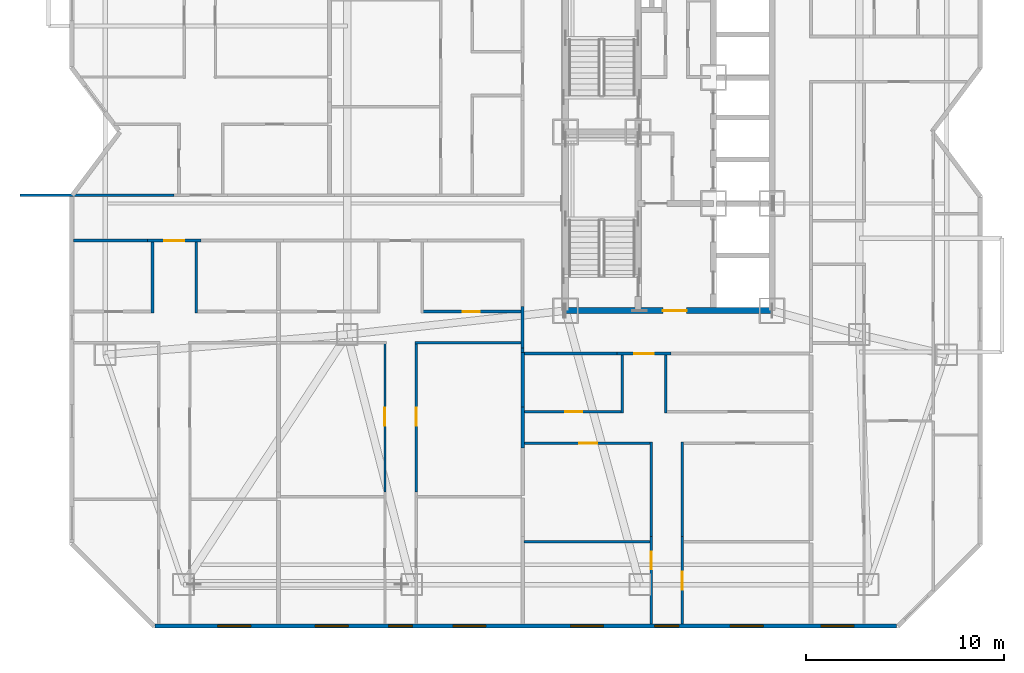
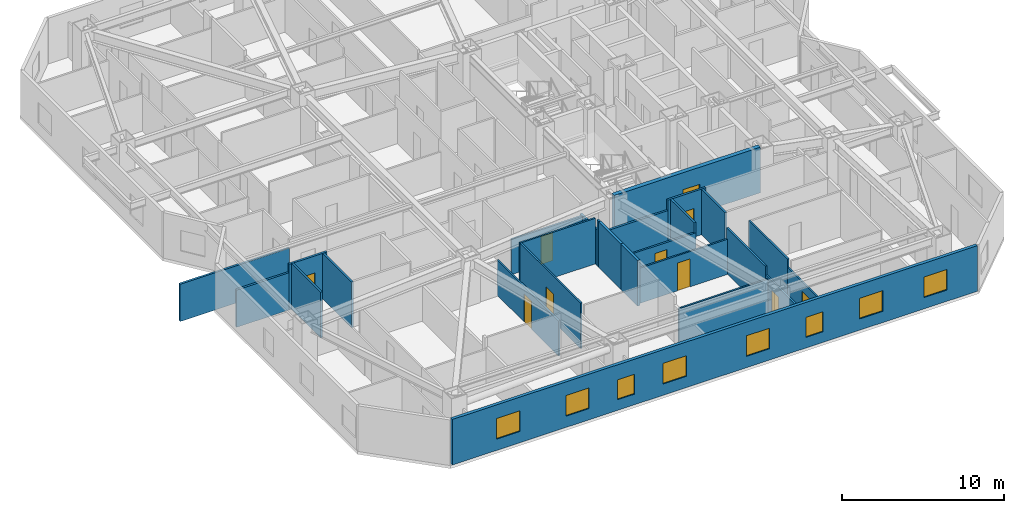
# One storey, part 7 of 14: 26 walls, 10 doors, 8 windows, 18 openings.
"""IFC4 building model written with IfcOpenShell, lengths in metres."""

from ifc_helpers import new_model, si_unit, direction, frame, frame_2d, origin, place, context, subcontext, project, spatial, rectangle, extrude, material, layer, layer_set, type_object, element, fill, save


model = new_model("IFC4")

# Units and contexts
model_context = context("Model", 3, precision=1e-05, world=origin(), true_north=direction((0.0, 1.0)))
body_context = subcontext(model_context, "Body", "Model", "MODEL_VIEW")
ifc_project = project(units=[si_unit("LENGTHUNIT", "METRE"), si_unit("AREAUNIT", "SQUARE_METRE"), si_unit("VOLUMEUNIT", "CUBIC_METRE"), si_unit("PLANEANGLEUNIT", "RADIAN"), si_unit("MASSUNIT", "GRAM", prefix="KILO")], contexts=[model_context])

# Site, building, storey
site_placement = place(None, origin())
site = spatial("IfcSite", under=ifc_project, at=site_placement, CompositionType="ELEMENT")
building_placement = place(site_placement, origin())
building = spatial("IfcBuilding", under=site, at=building_placement, Name="Khamvora Tower", CompositionType="ELEMENT")
storey_placement = place(building_placement, frame((0.0, 0.0, 51.550048828125)))
storey = spatial("IfcBuildingStorey", under=building, at=storey_placement, Name="L12", CompositionType="ELEMENT", Elevation=51.550048828125)

# Wall, opening, door
ifc_material_1 = material(Name="Concrete C50/60", Category="concrete")
ifc_layer_1 = layer(ifc_material_1, 0.300048828125)
ifc_layer_set_1 = layer_set([ifc_layer_1], Name="Concrete C50/60")
wall_type_1 = type_object("IfcWallType", Name="WAL-CORE-300", PredefinedType="SHEAR", material=ifc_layer_set_1)
wall_1_placement = place(storey_placement, frame((29.0, 19.0, 0.0), z_axis=(0.0, 0.0, 1.0), x_axis=(1.0, 0.0, 0.0)))
wall_1 = element("IfcWall", 1, at=wall_1_placement, inside=storey, type_object=wall_type_1, Name="L12 central core south wall", PredefinedType="SHEAR", context=body_context, shape_type="SweptSolid", body=[
    extrude(rectangle(XDim=10.39990234375, YDim=0.300048828125, at=frame_2d((5.199951171875, 0.0))), origin(), (0.0, 0.0, 1.0), 3.429931640625),
])
opening_1_placement = place(wall_1_placement, frame((4.89990234375, 0.0, 0.0)))
opening_1 = element("IfcOpeningElement", 2, at=opening_1_placement, cuts=wall_1, Name="Opening D-CR1", PredefinedType="OPENING", context=body_context, shape_type="SweptSolid", body=[
    extrude(rectangle(XDim=1.199951171875, YDim=2.14990234375, at=frame_2d((0.60009765625, 1.074951171875))), frame((0.0, 0.159912109375, 0.0), z_axis=(0.0, -1.0, 0.0), x_axis=(1.0, 0.0, 0.0)), (0.0, 0.0, 1.0), 0.320068359375),
])
ifc_material_2 = material(Name="Powder-Coated Steel and Hardwood Leaf", Category="steel")
door_type_1 = type_object("IfcDoorType", Name="DOR-CORR-1200", OperationType="NOTDEFINED", PredefinedType="DOOR", material=ifc_material_2)
door_1_placement = place(opening_1_placement, origin())
door_1 = element("IfcDoor", 3, at=door_1_placement, inside=storey, type_object=door_type_1, Name="L12 south core lobby to corridor fire door", OperationType="SINGLE_SWING_RIGHT", OverallHeight=2.14990234375, OverallWidth=1.199951171875, PredefinedType="DOOR", context=body_context, shape_type="SweptSolid", body=[
    extrude(rectangle(XDim=1.199951171875, YDim=2.14990234375, at=frame_2d((0.60009765625, 1.074951171875))), frame((0.0, 0.02490234375, 0.0), z_axis=(0.0, -1.0, 0.0), x_axis=(1.0, 0.0, 0.0)), (0.0, 0.0, 1.0), 0.050048828125),
])
fill(opening_1, door_1)

ifc_material_3 = material(Name="Fire-Rated Drywall and Steel Stud", Category="steel")
ifc_layer_2 = layer(ifc_material_3, 0.14990234375)
ifc_layer_set_2 = layer_set([ifc_layer_2], Name="Fire-Rated Drywall and Steel Stud")
wall_type_2 = type_object("IfcWallType", Name="WAL-CORR-150", PredefinedType="STANDARD", material=ifc_layer_set_2)
wall_2_placement = place(storey_placement, frame((10.637939453125, 22.534912109375, 0.0), z_axis=(0.0, 0.0, 1.0), x_axis=(-1.0, 0.0, 0.0)))
wall_2 = element("IfcWall", 4, at=wall_2_placement, inside=storey, type_object=wall_type_2, Name="L12 interior partition wall 009", PredefinedType="STANDARD", context=body_context, shape_type="SweptSolid", body=[
    extrude(rectangle(XDim=2.697998046875, YDim=0.14990234375, at=frame_2d((1.34912109375, 0.0))), origin(), (0.0, 0.0, 1.0), 3.429931640625),
])
opening_2_placement = place(wall_2_placement, frame((0.84912109375, 0.0, 0.0)))
opening_2 = element("IfcOpeningElement", 5, at=opening_2_placement, cuts=wall_2, Name="Opening D-U1", PredefinedType="OPENING", context=body_context, shape_type="SweptSolid", body=[
    extrude(rectangle(XDim=1.0, YDim=2.14990234375, at=frame_2d((0.5, 1.074951171875))), frame((0.0, 0.0849609375, 0.0), z_axis=(0.0, -1.0, 0.0), x_axis=(1.0, 0.0, 0.0)), (0.0, 0.0, 1.0), 0.169921875),
])
door_type_2 = type_object("IfcDoorType", Name="DOR-UNIT-1000", OperationType="NOTDEFINED", PredefinedType="DOOR", material=ifc_material_2)
door_2_placement = place(opening_2_placement, origin())
door_2 = element("IfcDoor", 6, at=door_2_placement, inside=storey, type_object=door_type_2, Name="L12 interior door COR-12WA1H", OperationType="SINGLE_SWING_RIGHT", OverallHeight=2.14990234375, OverallWidth=1.0, PredefinedType="DOOR", context=body_context, shape_type="SweptSolid", body=[
    extrude(rectangle(XDim=1.0, YDim=2.14990234375, at=frame_2d((0.5, 1.074951171875))), frame((0.0, 0.02490234375, 0.0), z_axis=(0.0, -1.0, 0.0), x_axis=(1.0, 0.0, 0.0)), (0.0, 0.0, 1.0), 0.050048828125),
])
fill(opening_2, door_2)

# Walls
wall_3_placement = place(storey_placement, frame((7.93994140625, 22.534912109375, 0.0), z_axis=(0.0, 0.0, 1.0), x_axis=(-1.0, 0.0, 0.0)))
element("IfcWall", 7, at=wall_3_placement, inside=storey, type_object=wall_type_2, Name="L12 interior partition wall 011", PredefinedType="STANDARD", context=body_context, shape_type="SweptSolid", body=[
    extrude(rectangle(XDim=3.72802734375, YDim=0.14990234375, at=frame_2d((1.864013671875, 0.0))), origin(), (0.0, 0.0, 1.0), 2.802978515625),
])
wall_4_placement = place(storey_placement, frame((26.8349609375, 17.1259765625, 0.0), z_axis=(0.0, 0.0, 1.0), x_axis=(0.0, 1.0, 0.0)))
element("IfcWall", 8, at=wall_4_placement, inside=storey, type_object=wall_type_2, Name="L12 interior partition wall 012", PredefinedType="STANDARD", context=body_context, shape_type="SweptSolid", body=[
    extrude(rectangle(XDim=2.078125, YDim=0.14990234375, at=frame_2d((1.0390625, 0.0))), origin(), (0.0, 0.0, 1.0), 2.64697265625),
])
wall_5_placement = place(storey_placement, frame((26.8349609375, 16.89990234375, 0.0), z_axis=(0.0, 0.0, 1.0), x_axis=(0.0, 1.0, 0.0)))
element("IfcWall", 9, at=wall_5_placement, inside=storey, type_object=wall_type_2, Name="L12 interior partition wall 017", PredefinedType="STANDARD", context=body_context, shape_type="SweptSolid", body=[
    extrude(rectangle(XDim=0.22607421875, YDim=0.14990234375, at=frame_2d((0.113037109375, 0.0))), origin(), (0.0, 0.0, 1.0), 3.429931640625),
])
wall_6_placement = place(storey_placement, frame((1.510009765625, 24.81494140625, 0.0), z_axis=(0.0, 0.0, 1.0), x_axis=(1.0, 0.0, 0.0)))
element("IfcWall", 10, at=wall_6_placement, inside=storey, type_object=wall_type_2, Name="L12 interior partition wall 019", PredefinedType="STANDARD", context=body_context, shape_type="SweptSolid", body=[
    extrude(rectangle(XDim=7.760009765625, YDim=0.14990234375, at=frame_2d((3.8798828125, 0.0))), origin(), (0.0, 0.0, 1.0), 2.802978515625),
])

# Wall, opening, door
wall_7_placement = place(storey_placement, frame((34.299072265625, 16.8349609375, 0.0), z_axis=(0.0, 0.0, 1.0), x_axis=(-1.0, 0.0, 0.0)))
wall_7 = element("IfcWall", 11, at=wall_7_placement, inside=storey, type_object=wall_type_2, Name="L12 interior partition wall 028", PredefinedType="STANDARD", context=body_context, shape_type="SweptSolid", body=[
    extrude(rectangle(XDim=2.697998046875, YDim=0.14990234375, at=frame_2d((1.34912109375, 0.0))), origin(), (0.0, 0.0, 1.0), 3.429931640625),
])
opening_3_placement = place(wall_7_placement, frame((0.84912109375, 0.0, 0.0)))
opening_3 = element("IfcOpeningElement", 12, at=opening_3_placement, cuts=wall_7, Name="Opening D-U1", PredefinedType="OPENING", context=body_context, shape_type="SweptSolid", body=[
    extrude(rectangle(XDim=1.0, YDim=2.14990234375, at=frame_2d((0.5, 1.074951171875))), frame((0.0, 0.0849609375, 0.0), z_axis=(0.0, -1.0, 0.0), x_axis=(1.0, 0.0, 0.0)), (0.0, 0.0, 1.0), 0.169921875),
])
door_3_placement = place(opening_3_placement, origin())
door_3 = element("IfcDoor", 13, at=door_3_placement, inside=storey, type_object=door_type_2, Name="L12 interior door COR-12SAH", OperationType="SINGLE_SWING_RIGHT", OverallHeight=2.14990234375, OverallWidth=1.0, PredefinedType="DOOR", context=body_context, shape_type="SweptSolid", body=[
    extrude(rectangle(XDim=1.0, YDim=2.14990234375, at=frame_2d((0.5, 1.074951171875))), frame((0.0, 0.02490234375, 0.0), z_axis=(0.0, -1.0, 0.0), x_axis=(1.0, 0.0, 0.0)), (0.0, 0.0, 1.0), 0.050048828125),
])
fill(opening_3, door_3)

# Walls
wall_8_placement = place(storey_placement, frame((31.60107421875, 16.8349609375, 0.0), z_axis=(0.0, 0.0, 1.0), x_axis=(-1.0, 0.0, 0.0)))
element("IfcWall", 14, at=wall_8_placement, inside=storey, type_object=wall_type_2, Name="L12 interior partition wall 029", PredefinedType="STANDARD", context=body_context, shape_type="SweptSolid", body=[
    extrude(rectangle(XDim=4.701171875, YDim=0.14990234375, at=frame_2d((2.3505859375, 0.0))), origin(), (0.0, 0.0, 1.0), 2.64697265625),
])
ifc_material_4 = material(Name="Acoustic Double-Stud Fire Wall", Category="gypsum")
ifc_layer_3 = layer(ifc_material_4, 0.179931640625)
ifc_layer_set_3 = layer_set([ifc_layer_3], Name="Acoustic Double-Stud Fire Wall")
wall_type_3 = type_object("IfcWallType", Name="WAL-CORR-180", PredefinedType="STANDARD", material=ifc_layer_set_3)
wall_9_placement = place(storey_placement, frame((26.8349609375, 14.155029296875, 0.0), z_axis=(0.0, 0.0, 1.0), x_axis=(0.0, -1.0, 0.0)))
element("IfcWall", 15, at=wall_9_placement, inside=storey, type_object=wall_type_3, Name="L12 interior partition wall 079", PredefinedType="STANDARD", context=body_context, shape_type="SweptSolid", body=[
    extrude(rectangle(XDim=2.078125, YDim=0.179931640625, at=frame_2d((1.0390625, 0.0))), origin(), (0.0, 0.0, 1.0), 3.429931640625),
])
wall_10_placement = place(storey_placement, frame((26.8349609375, 16.89990234375, 0.0), z_axis=(0.0, 0.0, 1.0), x_axis=(0.0, -1.0, 0.0)))
element("IfcWall", 16, at=wall_10_placement, inside=storey, type_object=wall_type_3, Name="L12 interior partition wall 080", PredefinedType="STANDARD", context=body_context, shape_type="SweptSolid", body=[
    extrude(rectangle(XDim=2.744873046875, YDim=0.179931640625, at=frame_2d((1.37255859375, 0.0))), origin(), (0.0, 0.0, 1.0), 3.429931640625),
])

# Wall, openings, windows
ifc_material_5 = material(Name="Precast concrete C40/50", Category="concrete")
ifc_layer_4 = layer(ifc_material_5, 0.219970703125)
ifc_layer_set_4 = layer_set([ifc_layer_4], Name="Precast concrete C40/50")
wall_type_4 = type_object("IfcWallType", Name="WAL-EXT-220", PredefinedType="STANDARD", material=ifc_layer_set_4)
wall_11_placement = place(storey_placement, frame((45.68310546875, 3.110107421875, 0.0), z_axis=(0.0, 0.0, 1.0), x_axis=(-1.0, 0.0, 0.0)))
wall_11 = element("IfcWall", 17, at=wall_11_placement, inside=storey, type_object=wall_type_4, Name="L12 exterior facade wall 14.1", PredefinedType="STANDARD", context=body_context, shape_type="SweptSolid", body=[
    extrude(rectangle(XDim=37.3681640625, YDim=0.219970703125, at=frame_2d((18.68408203125, 0.0))), origin(), (0.0, 0.0, 1.0), 3.429931640625),
])
opening_4_placement = place(wall_11_placement, frame((32.553955078125, 0.0, 0.85009765625)))
opening_4 = element("IfcOpeningElement", 18, at=opening_4_placement, cuts=wall_11, Name="Opening WN-06", PredefinedType="OPENING", context=body_context, shape_type="SweptSolid", body=[
    extrude(rectangle(XDim=1.64990234375, YDim=1.550048828125, at=frame_2d((0.824951171875, 0.77490234375))), frame((0.0, 0.119873046875, 0.0), z_axis=(0.0, -1.0, 0.0), x_axis=(1.0, 0.0, 0.0)), (0.0, 0.0, 1.0), 0.239990234375),
])
opening_5_placement = place(wall_11_placement, frame((24.39892578125, 0.0, 0.800048828125)))
opening_5 = element("IfcOpeningElement", 19, at=opening_5_placement, cuts=wall_11, Name="Opening WN-03", PredefinedType="OPENING", context=body_context, shape_type="SweptSolid", body=[
    extrude(rectangle(XDim=1.199951171875, YDim=1.5, at=frame_2d((0.60009765625, 0.75))), frame((0.0, 0.119873046875, 0.0), z_axis=(0.0, -1.0, 0.0), x_axis=(1.0, 0.0, 0.0)), (0.0, 0.0, 1.0), 0.239990234375),
])
opening_6_placement = place(wall_11_placement, frame((27.64208984375, 0.0, 0.85009765625)))
opening_6 = element("IfcOpeningElement", 20, at=opening_6_placement, cuts=wall_11, Name="Opening WN-06", PredefinedType="OPENING", context=body_context, shape_type="SweptSolid", body=[
    extrude(rectangle(XDim=1.64990234375, YDim=1.550048828125, at=frame_2d((0.824951171875, 0.77490234375))), frame((0.0, 0.119873046875, 0.0), z_axis=(0.0, -1.0, 0.0), x_axis=(1.0, 0.0, 0.0)), (0.0, 0.0, 1.0), 0.239990234375),
])
opening_7_placement = place(wall_11_placement, frame((20.7060546875, 0.0, 0.85009765625)))
opening_7 = element("IfcOpeningElement", 21, at=opening_7_placement, cuts=wall_11, Name="Opening WN-06", PredefinedType="OPENING", context=body_context, shape_type="SweptSolid", body=[
    extrude(rectangle(XDim=1.64990234375, YDim=1.550048828125, at=frame_2d((0.824951171875, 0.77490234375))), frame((0.0, 0.119873046875, 0.0), z_axis=(0.0, -1.0, 0.0), x_axis=(1.0, 0.0, 0.0)), (0.0, 0.0, 1.0), 0.239990234375),
])
opening_8_placement = place(wall_11_placement, frame((10.98291015625, 0.0, 0.800048828125)))
opening_8 = element("IfcOpeningElement", 22, at=opening_8_placement, cuts=wall_11, Name="Opening WN-03", PredefinedType="OPENING", context=body_context, shape_type="SweptSolid", body=[
    extrude(rectangle(XDim=1.199951171875, YDim=1.5, at=frame_2d((0.60009765625, 0.75))), frame((0.0, 0.119873046875, 0.0), z_axis=(0.0, -1.0, 0.0), x_axis=(1.0, 0.0, 0.0)), (0.0, 0.0, 1.0), 0.239990234375),
])
opening_9_placement = place(wall_11_placement, frame((14.782958984375, 0.0, 0.85009765625)))
opening_9 = element("IfcOpeningElement", 23, at=opening_9_placement, cuts=wall_11, Name="Opening WN-06", PredefinedType="OPENING", context=body_context, shape_type="SweptSolid", body=[
    extrude(rectangle(XDim=1.64990234375, YDim=1.550048828125, at=frame_2d((0.824951171875, 0.77490234375))), frame((0.0, 0.119873046875, 0.0), z_axis=(0.0, -1.0, 0.0), x_axis=(1.0, 0.0, 0.0)), (0.0, 0.0, 1.0), 0.239990234375),
])
opening_10_placement = place(wall_11_placement, frame((6.73291015625, 0.0, 0.85009765625)))
opening_10 = element("IfcOpeningElement", 24, at=opening_10_placement, cuts=wall_11, Name="Opening WN-06", PredefinedType="OPENING", context=body_context, shape_type="SweptSolid", body=[
    extrude(rectangle(XDim=1.64990234375, YDim=1.550048828125, at=frame_2d((0.824951171875, 0.77490234375))), frame((0.0, 0.119873046875, 0.0), z_axis=(0.0, -1.0, 0.0), x_axis=(1.0, 0.0, 0.0)), (0.0, 0.0, 1.0), 0.239990234375),
])
opening_11_placement = place(wall_11_placement, frame((2.156982421875, 0.0, 0.85009765625)))
opening_11 = element("IfcOpeningElement", 25, at=opening_11_placement, cuts=wall_11, Name="Opening WN-06", PredefinedType="OPENING", context=body_context, shape_type="SweptSolid", body=[
    extrude(rectangle(XDim=1.64990234375, YDim=1.550048828125, at=frame_2d((0.824951171875, 0.77490234375))), frame((0.0, 0.119873046875, 0.0), z_axis=(0.0, -1.0, 0.0), x_axis=(1.0, 0.0, 0.0)), (0.0, 0.0, 1.0), 0.239990234375),
])
ifc_material_6 = material(Name="Low-E Laminated Double Glazing", Category="glass")
window_type_1 = type_object("IfcWindowType", Name="WIN-VIS-1200x1500", PartitioningType="SINGLE_PANEL", PredefinedType="WINDOW", material=ifc_material_6)
window_1_placement = place(opening_5_placement, origin())
window_1 = element("IfcWindow", 26, at=window_1_placement, inside=storey, type_object=window_type_1, Name="L12 vision window 14.1.02", OverallHeight=1.5, OverallWidth=1.199951171875, PartitioningType="SINGLE_PANEL", PredefinedType="WINDOW", context=body_context, shape_type="SweptSolid", body=[
    extrude(rectangle(XDim=1.199951171875, YDim=1.5, at=frame_2d((0.60009765625, 0.75))), frame((0.0, 0.030029296875, 0.0), z_axis=(0.0, -1.0, 0.0), x_axis=(1.0, 0.0, 0.0)), (0.0, 0.0, 1.0), 0.06005859375),
])
fill(opening_5, window_1)
window_2_placement = place(opening_8_placement, origin())
window_2 = element("IfcWindow", 27, at=window_2_placement, inside=storey, type_object=window_type_1, Name="L12 vision window 14.1.05", OverallHeight=1.5, OverallWidth=1.199951171875, PartitioningType="SINGLE_PANEL", PredefinedType="WINDOW", context=body_context, shape_type="SweptSolid", body=[
    extrude(rectangle(XDim=1.199951171875, YDim=1.5, at=frame_2d((0.60009765625, 0.75))), frame((0.0, 0.030029296875, 0.0), z_axis=(0.0, -1.0, 0.0), x_axis=(1.0, 0.0, 0.0)), (0.0, 0.0, 1.0), 0.06005859375),
])
fill(opening_8, window_2)
window_type_2 = type_object("IfcWindowType", Name="WIN-VIS-1650x1550", PartitioningType="SINGLE_PANEL", PredefinedType="WINDOW", material=ifc_material_6)
window_3_placement = place(opening_4_placement, origin())
window_3 = element("IfcWindow", 28, at=window_3_placement, inside=storey, type_object=window_type_2, Name="L12 vision window 14.1.01", OverallHeight=1.550048828125, OverallWidth=1.64990234375, PartitioningType="SINGLE_PANEL", PredefinedType="WINDOW", context=body_context, shape_type="SweptSolid", body=[
    extrude(rectangle(XDim=1.64990234375, YDim=1.550048828125, at=frame_2d((0.824951171875, 0.77490234375))), frame((0.0, 0.030029296875, 0.0), z_axis=(0.0, -1.0, 0.0), x_axis=(1.0, 0.0, 0.0)), (0.0, 0.0, 1.0), 0.06005859375),
])
fill(opening_4, window_3)
window_4_placement = place(opening_6_placement, origin())
window_4 = element("IfcWindow", 29, at=window_4_placement, inside=storey, type_object=window_type_2, Name="L12 vision window 14.1.03", OverallHeight=1.550048828125, OverallWidth=1.64990234375, PartitioningType="SINGLE_PANEL", PredefinedType="WINDOW", context=body_context, shape_type="SweptSolid", body=[
    extrude(rectangle(XDim=1.64990234375, YDim=1.550048828125, at=frame_2d((0.824951171875, 0.77490234375))), frame((0.0, 0.030029296875, 0.0), z_axis=(0.0, -1.0, 0.0), x_axis=(1.0, 0.0, 0.0)), (0.0, 0.0, 1.0), 0.06005859375),
])
fill(opening_6, window_4)
window_5_placement = place(opening_7_placement, origin())
window_5 = element("IfcWindow", 30, at=window_5_placement, inside=storey, type_object=window_type_2, Name="L12 vision window 14.1.04", OverallHeight=1.550048828125, OverallWidth=1.64990234375, PartitioningType="SINGLE_PANEL", PredefinedType="WINDOW", context=body_context, shape_type="SweptSolid", body=[
    extrude(rectangle(XDim=1.64990234375, YDim=1.550048828125, at=frame_2d((0.824951171875, 0.77490234375))), frame((0.0, 0.030029296875, 0.0), z_axis=(0.0, -1.0, 0.0), x_axis=(1.0, 0.0, 0.0)), (0.0, 0.0, 1.0), 0.06005859375),
])
fill(opening_7, window_5)
window_6_placement = place(opening_9_placement, origin())
window_6 = element("IfcWindow", 31, at=window_6_placement, inside=storey, type_object=window_type_2, Name="L12 vision window 14.1.06", OverallHeight=1.550048828125, OverallWidth=1.64990234375, PartitioningType="SINGLE_PANEL", PredefinedType="WINDOW", context=body_context, shape_type="SweptSolid", body=[
    extrude(rectangle(XDim=1.64990234375, YDim=1.550048828125, at=frame_2d((0.824951171875, 0.77490234375))), frame((0.0, 0.030029296875, 0.0), z_axis=(0.0, -1.0, 0.0), x_axis=(1.0, 0.0, 0.0)), (0.0, 0.0, 1.0), 0.06005859375),
])
fill(opening_9, window_6)
window_7_placement = place(opening_10_placement, origin())
window_7 = element("IfcWindow", 32, at=window_7_placement, inside=storey, type_object=window_type_2, Name="L12 vision window 14.1.07", OverallHeight=1.550048828125, OverallWidth=1.64990234375, PartitioningType="SINGLE_PANEL", PredefinedType="WINDOW", context=body_context, shape_type="SweptSolid", body=[
    extrude(rectangle(XDim=1.64990234375, YDim=1.550048828125, at=frame_2d((0.824951171875, 0.77490234375))), frame((0.0, 0.030029296875, 0.0), z_axis=(0.0, -1.0, 0.0), x_axis=(1.0, 0.0, 0.0)), (0.0, 0.0, 1.0), 0.06005859375),
])
fill(opening_10, window_7)
window_8_placement = place(opening_11_placement, origin())
window_8 = element("IfcWindow", 33, at=window_8_placement, inside=storey, type_object=window_type_2, Name="L12 vision window 14.1.08", OverallHeight=1.550048828125, OverallWidth=1.64990234375, PartitioningType="SINGLE_PANEL", PredefinedType="WINDOW", context=body_context, shape_type="SweptSolid", body=[
    extrude(rectangle(XDim=1.64990234375, YDim=1.550048828125, at=frame_2d((0.824951171875, 0.77490234375))), frame((0.0, 0.030029296875, 0.0), z_axis=(0.0, -1.0, 0.0), x_axis=(1.0, 0.0, 0.0)), (0.0, 0.0, 1.0), 0.06005859375),
])
fill(opening_11, window_8)

# Wall, opening, door
ifc_material_7 = material(Name="Gypsum Plasterboard Partition", Category="gypsum")
ifc_layer_5 = layer(ifc_material_7, 0.1201171875)
ifc_layer_set_5 = layer_set([ifc_layer_5], Name="Gypsum Plasterboard Partition")
wall_type_5 = type_object("IfcWallType", Name="WAL-PART-120", PredefinedType="PARTITIONING", material=ifc_layer_set_5)
wall_12_placement = place(storey_placement, frame((19.89892578125, 9.8720703125, 0.0), z_axis=(0.0, 0.0, 1.0), x_axis=(0.0, 1.0, 0.0)))
wall_12 = element("IfcWall", 34, at=wall_12_placement, inside=storey, type_object=wall_type_5, Name="L12 interior partition wall 071", PredefinedType="PARTITIONING", context=body_context, shape_type="SweptSolid", body=[
    extrude(rectangle(XDim=7.56787109375, YDim=0.1201171875, at=frame_2d((3.783935546875, 0.0))), origin(), (0.0, 0.0, 1.0), 2.64697265625),
])
opening_12_placement = place(wall_12_placement, frame((3.333984375, 0.0, 0.0)))
opening_12 = element("IfcOpeningElement", 35, at=opening_12_placement, cuts=wall_12, Name="Opening D-RM1", PredefinedType="OPENING", context=body_context, shape_type="SweptSolid", body=[
    extrude(rectangle(XDim=0.89990234375, YDim=2.10009765625, at=frame_2d((0.449951171875, 1.050048828125))), frame((0.0, 0.070068359375, 0.0), z_axis=(0.0, -1.0, 0.0), x_axis=(1.0, 0.0, 0.0)), (0.0, 0.0, 1.0), 0.14013671875),
])
door_type_3 = type_object("IfcDoorType", Name="DOR-ROOM-900", OperationType="NOTDEFINED", PredefinedType="DOOR", material=ifc_material_2)
door_4_placement = place(opening_12_placement, origin())
door_4 = element("IfcDoor", 36, at=door_4_placement, inside=storey, type_object=door_type_3, Name="L12 interior door 12WA2H-12WA2R2", OperationType="SINGLE_SWING_RIGHT", OverallHeight=2.10009765625, OverallWidth=0.89990234375, PredefinedType="DOOR", context=body_context, shape_type="SweptSolid", body=[
    extrude(rectangle(XDim=0.89990234375, YDim=2.10009765625, at=frame_2d((0.449951171875, 1.050048828125))), frame((0.0, 0.02490234375, 0.0), z_axis=(0.0, -1.0, 0.0), x_axis=(1.0, 0.0, 0.0)), (0.0, 0.0, 1.0), 0.050048828125),
])
fill(opening_12, door_4)

# Wall
wall_13_placement = place(storey_placement, frame((26.77001953125, 17.375, 0.0), z_axis=(0.0, 0.0, 1.0), x_axis=(-1.0, 0.0, 0.0)))
element("IfcWall", 37, at=wall_13_placement, inside=storey, type_object=wall_type_5, Name="L12 interior partition wall 073", PredefinedType="PARTITIONING", context=body_context, shape_type="SweptSolid", body=[
    extrude(rectangle(XDim=5.365966796875, YDim=0.1201171875, at=frame_2d((2.68310546875, 0.0))), origin(), (0.0, 0.0, 1.0), 3.429931640625),
])

# Wall, opening, door
wall_14_placement = place(storey_placement, frame((21.468994140625, 17.43994140625, 0.0), z_axis=(0.0, 0.0, 1.0), x_axis=(0.0, -1.0, 0.0)))
wall_14 = element("IfcWall", 38, at=wall_14_placement, inside=storey, type_object=wall_type_5, Name="L12 interior partition wall 074", PredefinedType="PARTITIONING", context=body_context, shape_type="SweptSolid", body=[
    extrude(rectangle(XDim=7.56787109375, YDim=0.1201171875, at=frame_2d((3.783935546875, 0.0))), origin(), (0.0, 0.0, 1.0), 3.429931640625),
])
opening_13_placement = place(wall_14_placement, frame((3.333984375, 0.0, 0.0)))
opening_13 = element("IfcOpeningElement", 39, at=opening_13_placement, cuts=wall_14, Name="Opening D-RM1", PredefinedType="OPENING", context=body_context, shape_type="SweptSolid", body=[
    extrude(rectangle(XDim=0.89990234375, YDim=2.10009765625, at=frame_2d((0.449951171875, 1.050048828125))), frame((0.0, 0.070068359375, 0.0), z_axis=(0.0, -1.0, 0.0), x_axis=(1.0, 0.0, 0.0)), (0.0, 0.0, 1.0), 0.14013671875),
])
door_5_placement = place(opening_13_placement, origin())
door_5 = element("IfcDoor", 40, at=door_5_placement, inside=storey, type_object=door_type_3, Name="L12 interior door 12WA2H-12WA2R4", OperationType="SINGLE_SWING_RIGHT", OverallHeight=2.10009765625, OverallWidth=0.89990234375, PredefinedType="DOOR", context=body_context, shape_type="SweptSolid", body=[
    extrude(rectangle(XDim=0.89990234375, YDim=2.10009765625, at=frame_2d((0.449951171875, 1.050048828125))), frame((0.0, 0.02490234375, 0.0), z_axis=(0.0, -1.0, 0.0), x_axis=(1.0, 0.0, 0.0)), (0.0, 0.0, 1.0), 0.050048828125),
])
fill(opening_13, door_5)

wall_15_placement = place(storey_placement, frame((33.31494140625, 3.2119140625, 0.0), z_axis=(0.0, 0.0, 1.0), x_axis=(0.0, 1.0, 0.0)))
wall_15 = element("IfcWall", 41, at=wall_15_placement, inside=storey, type_object=wall_type_5, Name="L12 interior partition wall 131", PredefinedType="PARTITIONING", context=body_context, shape_type="SweptSolid", body=[
    extrude(rectangle(XDim=4.398193359375, YDim=0.1201171875, at=frame_2d((2.19921875, 0.0))), origin(), (0.0, 0.0, 1.0), 2.802978515625),
])
opening_14_placement = place(wall_15_placement, frame((2.7509765625, 0.0, 0.0)))
opening_14 = element("IfcOpeningElement", 42, at=opening_14_placement, cuts=wall_15, Name="Opening D-RM1", PredefinedType="OPENING", context=body_context, shape_type="SweptSolid", body=[
    extrude(rectangle(XDim=0.89990234375, YDim=2.10009765625, at=frame_2d((0.449951171875, 1.050048828125))), frame((0.0, 0.070068359375, 0.0), z_axis=(0.0, -1.0, 0.0), x_axis=(1.0, 0.0, 0.0)), (0.0, 0.0, 1.0), 0.14013671875),
])
door_6_placement = place(opening_14_placement, origin())
door_6 = element("IfcDoor", 43, at=door_6_placement, inside=storey, type_object=door_type_3, Name="L12 interior door 12SAH-12SAL", OperationType="SINGLE_SWING_RIGHT", OverallHeight=2.10009765625, OverallWidth=0.89990234375, PredefinedType="DOOR", context=body_context, shape_type="SweptSolid", body=[
    extrude(rectangle(XDim=0.89990234375, YDim=2.10009765625, at=frame_2d((0.449951171875, 1.050048828125))), frame((0.0, 0.02490234375, 0.0), z_axis=(0.0, -1.0, 0.0), x_axis=(1.0, 0.0, 0.0)), (0.0, 0.0, 1.0), 0.050048828125),
])
fill(opening_14, door_6)

# Wall
wall_16_placement = place(storey_placement, frame((33.31494140625, 7.610107421875, 0.0), z_axis=(0.0, 0.0, 1.0), x_axis=(0.0, 1.0, 0.0)))
element("IfcWall", 44, at=wall_16_placement, inside=storey, type_object=wall_type_5, Name="L12 interior partition wall 132", PredefinedType="PARTITIONING", context=body_context, shape_type="SweptSolid", body=[
    extrude(rectangle(XDim=4.781005859375, YDim=0.1201171875, at=frame_2d((2.390625, 0.0))), origin(), (0.0, 0.0, 1.0), 3.429931640625),
])

# Wall, opening, door
wall_17_placement = place(storey_placement, frame((33.3798828125, 12.325927734375, 0.0), z_axis=(0.0, 0.0, 1.0), x_axis=(-1.0, 0.0, 0.0)))
wall_17 = element("IfcWall", 45, at=wall_17_placement, inside=storey, type_object=wall_type_5, Name="L12 interior partition wall 133", PredefinedType="PARTITIONING", context=body_context, shape_type="SweptSolid", body=[
    extrude(rectangle(XDim=6.462890625, YDim=0.1201171875, at=frame_2d((3.2314453125, 0.0))), origin(), (0.0, 0.0, 1.0), 2.64697265625),
])
opening_15_placement = place(wall_17_placement, frame((2.781005859375, 0.0, 0.0)))
opening_15 = element("IfcOpeningElement", 46, at=opening_15_placement, cuts=wall_17, Name="Opening D-RM1", PredefinedType="OPENING", context=body_context, shape_type="SweptSolid", body=[
    extrude(rectangle(XDim=0.89990234375, YDim=2.10009765625, at=frame_2d((0.449951171875, 1.050048828125))), frame((0.0, 0.070068359375, 0.0), z_axis=(0.0, -1.0, 0.0), x_axis=(1.0, 0.0, 0.0)), (0.0, 0.0, 1.0), 0.14013671875),
])
door_7_placement = place(opening_15_placement, origin())
door_7 = element("IfcDoor", 47, at=door_7_placement, inside=storey, type_object=door_type_3, Name="L12 interior door 12SAH-12SAR2", OperationType="SINGLE_SWING_RIGHT", OverallHeight=2.10009765625, OverallWidth=0.89990234375, PredefinedType="DOOR", context=body_context, shape_type="SweptSolid", body=[
    extrude(rectangle(XDim=0.89990234375, YDim=2.10009765625, at=frame_2d((0.449951171875, 1.050048828125))), frame((0.0, 0.02490234375, 0.0), z_axis=(0.0, -1.0, 0.0), x_axis=(1.0, 0.0, 0.0)), (0.0, 0.0, 1.0), 0.050048828125),
])
fill(opening_15, door_7)

wall_18_placement = place(storey_placement, frame((34.885009765625, 7.610107421875, 0.0), z_axis=(0.0, 0.0, 1.0), x_axis=(0.0, -1.0, 0.0)))
wall_18 = element("IfcWall", 48, at=wall_18_placement, inside=storey, type_object=wall_type_5, Name="L12 interior partition wall 134", PredefinedType="PARTITIONING", context=body_context, shape_type="SweptSolid", body=[
    extrude(rectangle(XDim=4.398193359375, YDim=0.1201171875, at=frame_2d((2.19921875, 0.0))), origin(), (0.0, 0.0, 1.0), 2.802978515625),
])
opening_16_placement = place(wall_18_placement, frame((1.77001953125, 0.0, 0.0)))
opening_16 = element("IfcOpeningElement", 49, at=opening_16_placement, cuts=wall_18, Name="Opening D-RM1", PredefinedType="OPENING", context=body_context, shape_type="SweptSolid", body=[
    extrude(rectangle(XDim=0.89990234375, YDim=2.10009765625, at=frame_2d((0.449951171875, 1.050048828125))), frame((0.0, 0.070068359375, 0.0), z_axis=(0.0, -1.0, 0.0), x_axis=(1.0, 0.0, 0.0)), (0.0, 0.0, 1.0), 0.14013671875),
])
door_8_placement = place(opening_16_placement, origin())
door_8 = element("IfcDoor", 50, at=door_8_placement, inside=storey, type_object=door_type_3, Name="L12 interior door 12SAH-12SAR3", OperationType="SINGLE_SWING_LEFT", OverallHeight=2.10009765625, OverallWidth=0.89990234375, PredefinedType="DOOR", context=body_context, shape_type="SweptSolid", body=[
    extrude(rectangle(XDim=0.89990234375, YDim=2.10009765625, at=frame_2d((0.449951171875, 1.050048828125))), frame((0.0, 0.02490234375, 0.0), z_axis=(0.0, -1.0, 0.0), x_axis=(1.0, 0.0, 0.0)), (0.0, 0.0, 1.0), 0.050048828125),
])
fill(opening_16, door_8)

# Walls
wall_19_placement = place(storey_placement, frame((34.885009765625, 12.39111328125, 0.0), z_axis=(0.0, 0.0, 1.0), x_axis=(0.0, -1.0, 0.0)))
element("IfcWall", 51, at=wall_19_placement, inside=storey, type_object=wall_type_5, Name="L12 interior partition wall 136", PredefinedType="PARTITIONING", context=body_context, shape_type="SweptSolid", body=[
    extrude(rectangle(XDim=4.781005859375, YDim=0.1201171875, at=frame_2d((2.390625, 0.0))), origin(), (0.0, 0.0, 1.0), 3.429931640625),
])
wall_20_placement = place(storey_placement, frame((26.9169921875, 7.361083984375, 0.0), z_axis=(0.0, 0.0, 1.0), x_axis=(1.0, 0.0, 0.0)))
element("IfcWall", 52, at=wall_20_placement, inside=storey, type_object=wall_type_5, Name="L12 interior partition wall 139", PredefinedType="PARTITIONING", context=body_context, shape_type="SweptSolid", body=[
    extrude(rectangle(XDim=6.343994140625, YDim=0.1201171875, at=frame_2d((3.171875, 0.0))), origin(), (0.0, 0.0, 1.0), 2.64697265625),
])
ifc_material_8 = material(Name="Moisture-Resistant Plasterboard Partition", Category="gypsum")
ifc_layer_6 = layer(ifc_material_8, 0.135009765625)
ifc_layer_set_6 = layer_set([ifc_layer_6], Name="Moisture-Resistant Plasterboard Partition")
wall_type_6 = type_object("IfcWallType", Name="WAL-WET-135", PredefinedType="PARTITIONING", material=ifc_layer_set_6)
for number, where, z_axis, x_axis, name in (
    (53, (10.388916015625, 22.469970703125, 0.0), (0.0, 0.0, 1.0), (0.0, -1.0, 0.0), "L12 interior partition wall 048"),
    (54, (8.18896484375, 18.889892578125, 0.0), (0.0, 0.0, 1.0), (0.0, 1.0, 0.0), "L12 interior partition wall 051"),
):
    element("IfcWall", number, at=place(storey_placement, frame(where, z_axis=z_axis, x_axis=x_axis)), inside=storey, type_object=wall_type_6, Name=name, PredefinedType="PARTITIONING", context=body_context, shape_type="SweptSolid", body=[
        extrude(rectangle(XDim=3.580078125, YDim=0.135009765625, at=frame_2d((1.7900390625, 0.0))), origin(), (0.0, 0.0, 1.0), 3.429931640625),
    ])

# Wall, opening, door
wall_21_placement = place(storey_placement, frame((21.718994140625, 18.955078125, 0.0), z_axis=(0.0, 0.0, 1.0), x_axis=(1.0, 0.0, 0.0)))
wall_21 = element("IfcWall", 55, at=wall_21_placement, inside=storey, type_object=wall_type_6, Name="L12 interior partition wall 066", PredefinedType="PARTITIONING", context=body_context, shape_type="SweptSolid", body=[
    extrude(rectangle(XDim=5.051025390625, YDim=0.135009765625, at=frame_2d((2.525390625, 0.0))), origin(), (0.0, 0.0, 1.0), 2.64697265625),
])
opening_17_placement = place(wall_21_placement, frame((2.10107421875, 0.0, 0.0)))
opening_17 = element("IfcOpeningElement", 56, at=opening_17_placement, cuts=wall_21, Name="Opening D-WC1", PredefinedType="OPENING", context=body_context, shape_type="SweptSolid", body=[
    extrude(rectangle(XDim=0.85009765625, YDim=2.10009765625, at=frame_2d((0.425048828125, 1.050048828125))), frame((0.0, 0.077392578125, 0.0), z_axis=(0.0, -1.0, 0.0), x_axis=(1.0, 0.0, 0.0)), (0.0, 0.0, 1.0), 0.155029296875),
])
door_type_4 = type_object("IfcDoorType", Name="DOR-WET-850", OperationType="NOTDEFINED", PredefinedType="DOOR", material=ifc_material_2)
door_9_placement = place(opening_17_placement, origin())
door_9 = element("IfcDoor", 57, at=door_9_placement, inside=storey, type_object=door_type_4, Name="L12 interior door 12WA2H-12WA2B", OperationType="SINGLE_SWING_RIGHT", OverallHeight=2.10009765625, OverallWidth=0.85009765625, PredefinedType="DOOR", context=body_context, shape_type="SweptSolid", body=[
    extrude(rectangle(XDim=0.85009765625, YDim=2.10009765625, at=frame_2d((0.425048828125, 1.050048828125))), frame((0.0, 0.02490234375, 0.0), z_axis=(0.0, -1.0, 0.0), x_axis=(1.0, 0.0, 0.0)), (0.0, 0.0, 1.0), 0.050048828125),
])
fill(opening_17, door_9)

wall_22_placement = place(storey_placement, frame((26.9169921875, 13.906005859375, 0.0), z_axis=(0.0, 0.0, 1.0), x_axis=(1.0, 0.0, 0.0)))
wall_22 = element("IfcWall", 58, at=wall_22_placement, inside=storey, type_object=wall_type_6, Name="L12 interior partition wall 127", PredefinedType="PARTITIONING", context=body_context, shape_type="SweptSolid", body=[
    extrude(rectangle(XDim=4.998046875, YDim=0.135009765625, at=frame_2d((2.4990234375, 0.0))), origin(), (0.0, 0.0, 1.0), 2.64697265625),
])
opening_18_placement = place(wall_22_placement, frame((2.073974609375, 0.0, 0.0)))
opening_18 = element("IfcOpeningElement", 59, at=opening_18_placement, cuts=wall_22, Name="Opening D-WC1", PredefinedType="OPENING", context=body_context, shape_type="SweptSolid", body=[
    extrude(rectangle(XDim=0.85009765625, YDim=2.10009765625, at=frame_2d((0.425048828125, 1.050048828125))), frame((0.0, 0.077392578125, 0.0), z_axis=(0.0, -1.0, 0.0), x_axis=(1.0, 0.0, 0.0)), (0.0, 0.0, 1.0), 0.155029296875),
])
door_10_placement = place(opening_18_placement, origin())
door_10 = element("IfcDoor", 60, at=door_10_placement, inside=storey, type_object=door_type_4, Name="L12 interior door 12SAH-12SAB", OperationType="SINGLE_SWING_LEFT", OverallHeight=2.10009765625, OverallWidth=0.85009765625, PredefinedType="DOOR", context=body_context, shape_type="SweptSolid", body=[
    extrude(rectangle(XDim=0.85009765625, YDim=2.10009765625, at=frame_2d((0.425048828125, 1.050048828125))), frame((0.0, 0.02490234375, 0.0), z_axis=(0.0, -1.0, 0.0), x_axis=(1.0, 0.0, 0.0)), (0.0, 0.0, 1.0), 0.050048828125),
])
fill(opening_18, door_10)

# Walls
for number, where, z_axis, x_axis, name in (
    (61, (31.85009765625, 13.841064453125, 0.0), (0.0, 0.0, 1.0), (0.0, 1.0, 0.0), "L12 interior partition wall 128"),
    (62, (34.050048828125, 16.77001953125, 0.0), (0.0, 0.0, 1.0), (0.0, -1.0, 0.0), "L12 interior partition wall 129"),
):
    element("IfcWall", number, at=place(storey_placement, frame(where, z_axis=z_axis, x_axis=x_axis)), inside=storey, type_object=wall_type_6, Name=name, PredefinedType="PARTITIONING", context=body_context, shape_type="SweptSolid", body=[
        extrude(rectangle(XDim=2.928955078125, YDim=0.135009765625, at=frame_2d((1.46435546875, 0.0))), origin(), (0.0, 0.0, 1.0), 3.429931640625),
    ])

save(model, "model.ifc")
